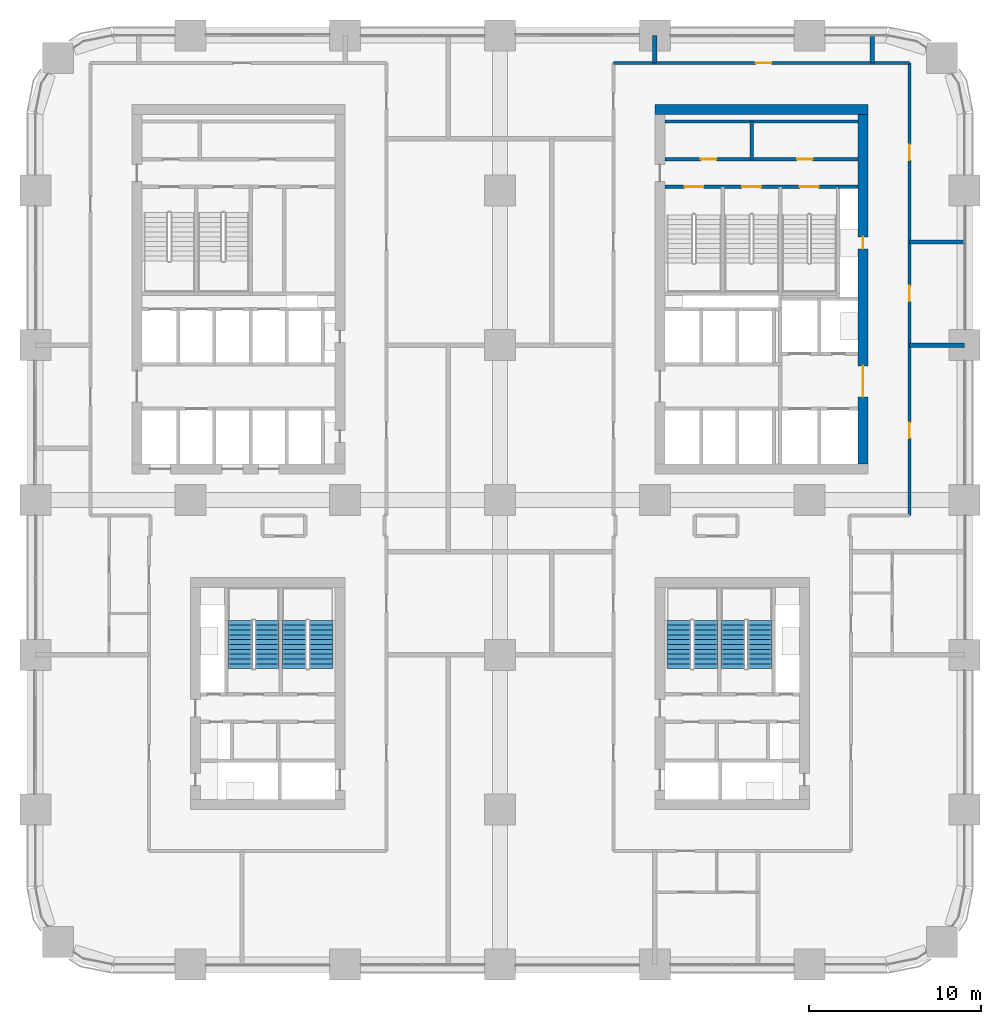
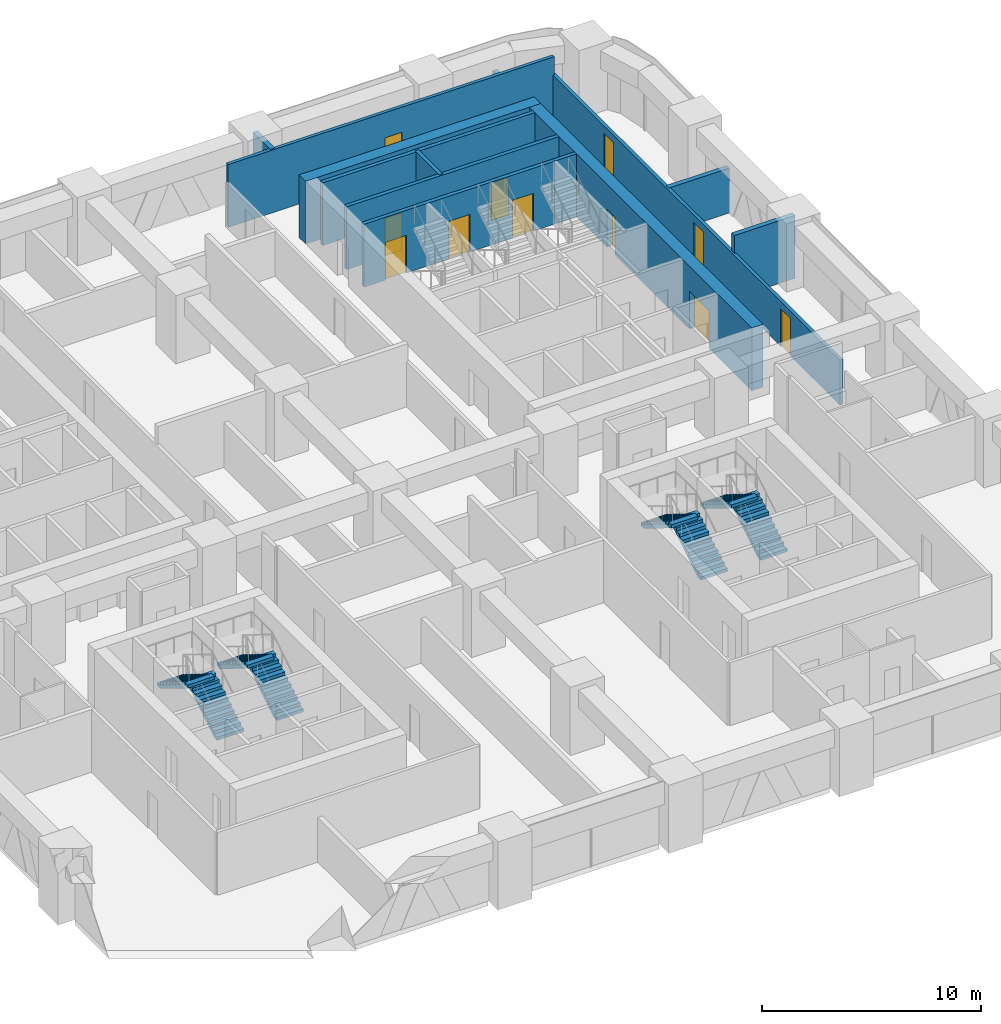
# One storey, part 18 of 21: 13 walls, 11 doors, 8 stair flights, 11 openings, 4 elements without a shape of their own.
"""IFC4 building model written with IfcOpenShell, lengths in metres."""

from ifc_helpers import new_model, si_unit, direction, frame, frame_2d, origin, place, context, subcontext, project, spatial, polyline, rectangle, outline, extrude, material, layer, layer_set, type_object, element, fill, aggregate, save


model = new_model("IFC4")

# Units and contexts
model_context = context("Model", 3, precision=1e-05, world=origin(), true_north=direction((0.0, 1.0)))
body_context = subcontext(model_context, "Body", "Model", "MODEL_VIEW")
ifc_project = project(units=[si_unit("LENGTHUNIT", "METRE"), si_unit("AREAUNIT", "SQUARE_METRE"), si_unit("VOLUMEUNIT", "CUBIC_METRE"), si_unit("PLANEANGLEUNIT", "RADIAN"), si_unit("MASSUNIT", "GRAM", prefix="KILO")], contexts=[model_context])

# Site, building, storey
site_placement = place(None, origin())
site = spatial("IfcSite", under=ifc_project, at=site_placement, CompositionType="ELEMENT")
building_placement = place(site_placement, origin())
building = spatial("IfcBuilding", under=site, at=building_placement, Name="Tessera Arch", CompositionType="ELEMENT")
storey_placement = place(building_placement, frame((0.0, 0.0, 65.199951171875)))
storey = spatial("IfcBuildingStorey", under=building, at=storey_placement, Name="L14", CompositionType="ELEMENT", Elevation=65.199951171875)

# Wall
ifc_material_1 = material(Name="Gypsum board on steel stud", Category="steel")
ifc_layer_1 = layer(ifc_material_1, 0.125)
ifc_layer_set_1 = layer_set([ifc_layer_1], Name="Core partition 125 EI 60")
wall_type_1 = type_object("IfcWallType", Name="Core partition 125 EI 60", PredefinedType="PARTITIONING", material=ifc_layer_set_1)
wall_1_placement = place(storey_placement, frame((41.639892578125, 46.800048828125, 0.0), z_axis=(0.0, 0.0, 1.0), x_axis=(0.0, 1.0, 0.0)))
element("IfcWall", 1, at=wall_1_placement, inside=storey, type_object=wall_type_1, Name="L14 C1 partition wall 7", PredefinedType="PARTITIONING", context=body_context, shape_type="SweptSolid", body=[
    extrude(rectangle(XDim=2.199951171875, YDim=0.199951171875, at=frame_2d((1.10009765625, 0.0))), origin(), (0.0, 0.0, 1.0), 3.5),
])

# Wall, openings, doors
wall_2_placement = place(storey_placement, frame((36.60009765625, 46.800048828125, 0.0), z_axis=(0.0, 0.0, 1.0), x_axis=(1.0, 0.0, 0.0)))
wall_2 = element("IfcWall", 2, at=wall_2_placement, inside=storey, type_object=wall_type_1, Name="L14 C1 partition wall 31", PredefinedType="PARTITIONING", context=body_context, shape_type="SweptSolid", body=[
    extrude(rectangle(XDim=11.199951171875, YDim=0.199951171875, at=frame_2d((5.60009765625, 0.0))), origin(), (0.0, 0.0, 1.0), 3.5),
])
opening_1_placement = place(wall_2_placement, frame((2.070068359375, 0.0, 0.0)))
opening_1 = element("IfcOpeningElement", 3, at=opening_1_placement, cuts=wall_2, Name="Opening L14-C12", PredefinedType="OPENING", context=body_context, shape_type="SweptSolid", body=[
    extrude(rectangle(XDim=0.89990234375, YDim=2.10009765625, at=frame_2d((0.449951171875, 1.050048828125))), frame((0.0, 0.10986328125, 0.0), z_axis=(0.0, -1.0, 0.0), x_axis=(1.0, 0.0, 0.0)), (0.0, 0.0, 1.0), 0.219970703125),
])
opening_2_placement = place(wall_2_placement, frame((7.669921875, 0.0, 0.0)))
opening_2 = element("IfcOpeningElement", 4, at=opening_2_placement, cuts=wall_2, Name="Opening L14-C13", PredefinedType="OPENING", context=body_context, shape_type="SweptSolid", body=[
    extrude(rectangle(XDim=0.89990234375, YDim=2.10009765625, at=frame_2d((0.449951171875, 1.050048828125))), frame((0.0, 0.10986328125, 0.0), z_axis=(0.0, -1.0, 0.0), x_axis=(1.0, 0.0, 0.0)), (0.0, 0.0, 1.0), 0.219970703125),
])
ifc_material_2 = material(Name="Steel door leaf", Category="steel")
door_type_1 = type_object("IfcDoorType", Name="Store door FD30S 900 x 2100", OperationType="SINGLE_SWING_LEFT", PredefinedType="DOOR", material=ifc_material_2)
door_1_placement = place(opening_1_placement, origin())
door_1 = element("IfcDoor", 5, at=door_1_placement, inside=storey, type_object=door_type_1, Name="L14 C1 door 12 C12 type D09", OperationType="SINGLE_SWING_LEFT", OverallHeight=2.10009765625, OverallWidth=0.89990234375, PredefinedType="DOOR", context=body_context, shape_type="SweptSolid", body=[
    extrude(rectangle(XDim=0.89990234375, YDim=2.10009765625, at=frame_2d((0.449951171875, 1.050048828125))), frame((0.0, 0.02490234375, 0.0), z_axis=(0.0, -1.0, 0.0), x_axis=(1.0, 0.0, 0.0)), (0.0, 0.0, 1.0), 0.050048828125),
])
fill(opening_1, door_1)
door_2_placement = place(opening_2_placement, origin())
door_2 = element("IfcDoor", 6, at=door_2_placement, inside=storey, type_object=door_type_1, Name="L14 C1 door 13 C13 type D09", OperationType="SINGLE_SWING_RIGHT", OverallHeight=2.10009765625, OverallWidth=0.89990234375, PredefinedType="DOOR", context=body_context, shape_type="SweptSolid", body=[
    extrude(rectangle(XDim=0.89990234375, YDim=2.10009765625, at=frame_2d((0.449951171875, 1.050048828125))), frame((0.0, 0.02490234375, 0.0), z_axis=(0.0, -1.0, 0.0), x_axis=(1.0, 0.0, 0.0)), (0.0, 0.0, 1.0), 0.050048828125),
])
fill(opening_2, door_2)

# Walls
wall_3_placement = place(storey_placement, frame((36.60009765625, 49.0, 0.0), z_axis=(0.0, 0.0, 1.0), x_axis=(1.0, 0.0, 0.0)))
element("IfcWall", 7, at=wall_3_placement, inside=storey, type_object=wall_type_1, Name="L14 C1 partition wall 32", PredefinedType="PARTITIONING", context=body_context, shape_type="SweptSolid", body=[
    extrude(rectangle(XDim=11.199951171875, YDim=0.199951171875, at=frame_2d((5.60009765625, 0.0))), origin(), (0.0, 0.0, 1.0), 3.5),
])
ifc_material_3 = material(Name="Concrete C70/85", Category="concrete")
ifc_layer_2 = layer(ifc_material_3, 0.60009765625)
ifc_layer_set_2 = layer_set([ifc_layer_2], Name="Core shell wall 600 C70-85")
wall_type_2 = type_object("IfcWallType", Name="Core shell wall 600 C70-85", PredefinedType="SHEAR", material=ifc_layer_set_2)
wall_4_placement = place(storey_placement, frame((36.0, 49.699951171875, 0.0), z_axis=(0.0, 0.0, 1.0), x_axis=(1.0, 0.0, 0.0)))
element("IfcWall", 8, at=wall_4_placement, inside=storey, type_object=wall_type_2, Name="L14 C1 core wall N", PredefinedType="SHEAR", context=body_context, shape_type="SweptSolid", body=[
    extrude(rectangle(XDim=12.39990234375, YDim=0.60009765625, at=frame_2d((6.199951171875, 0.0))), origin(), (0.0, 0.0, 1.0), 3.5),
])

# Wall, openings, doors
wall_5_placement = place(storey_placement, frame((48.10009765625, 29.10009765625, 0.0), z_axis=(0.0, 0.0, 1.0), x_axis=(0.0, 1.0, 0.0)))
wall_5 = element("IfcWall", 9, at=wall_5_placement, inside=storey, type_object=wall_type_2, Name="L14 C1 core wall E", PredefinedType="SHEAR", context=body_context, shape_type="SweptSolid", body=[
    extrude(rectangle(XDim=20.2998046875, YDim=0.60009765625, at=frame_2d((10.14990234375, 0.0))), origin(), (0.0, 0.0, 1.0), 3.5),
])
opening_3_placement = place(wall_5_placement, frame((12.5, 0.0, 0.0)))
opening_3 = element("IfcOpeningElement", 10, at=opening_3_placement, cuts=wall_5, Name="Opening L14-C08", PredefinedType="OPENING", context=body_context, shape_type="SweptSolid", body=[
    extrude(rectangle(XDim=0.699951171875, YDim=2.10009765625, at=frame_2d((0.35009765625, 1.050048828125))), frame((0.0, 0.31005859375, 0.0), z_axis=(0.0, -1.0, 0.0), x_axis=(1.0, 0.0, 0.0)), (0.0, 0.0, 1.0), 0.6201171875),
])
opening_4_placement = place(wall_5_placement, frame((3.89990234375, 0.0, 0.0)))
opening_4 = element("IfcOpeningElement", 11, at=opening_4_placement, cuts=wall_5, Name="Opening L14-C09", PredefinedType="OPENING", context=body_context, shape_type="SweptSolid", body=[
    extrude(rectangle(XDim=1.800048828125, YDim=2.10009765625, at=frame_2d((0.89990234375, 1.050048828125))), frame((0.0, 0.31005859375, 0.0), z_axis=(0.0, -1.0, 0.0), x_axis=(1.0, 0.0, 0.0)), (0.0, 0.0, 1.0), 0.6201171875),
])
ifc_material_4 = material(Name="Glazed steel door leaf", Category="steel")
door_type_2 = type_object("IfcDoorType", Name="Lobby double door FD60 1800 x 2100", OperationType="DOUBLE_DOOR_SINGLE_SWING", PredefinedType="DOOR", material=ifc_material_4)
door_3_placement = place(opening_4_placement, origin())
door_3 = element("IfcDoor", 12, at=door_3_placement, inside=storey, type_object=door_type_2, Name="L14 C1 door 9 C09 type D19", OperationType="DOUBLE_DOOR_SINGLE_SWING", OverallHeight=2.10009765625, OverallWidth=1.800048828125, PredefinedType="DOOR", context=body_context, shape_type="SweptSolid", body=[
    extrude(rectangle(XDim=1.800048828125, YDim=2.10009765625, at=frame_2d((0.89990234375, 1.050048828125))), frame((0.0, 0.02490234375, 0.0), z_axis=(0.0, -1.0, 0.0), x_axis=(1.0, 0.0, 0.0)), (0.0, 0.0, 1.0), 0.050048828125),
])
fill(opening_4, door_3)
ifc_material_5 = material(Name="Steel door leaf", Category="steel")
door_type_3 = type_object("IfcDoorType", Name="Service shaft door FD60 700 x 2100", OperationType="SINGLE_SWING_LEFT", PredefinedType="DOOR", material=ifc_material_5)
door_4_placement = place(opening_3_placement, origin())
door_4 = element("IfcDoor", 13, at=door_4_placement, inside=storey, type_object=door_type_3, Name="L14 C1 door 8 C08 type D07", OperationType="SINGLE_SWING_RIGHT", OverallHeight=2.10009765625, OverallWidth=0.699951171875, PredefinedType="DOOR", context=body_context, shape_type="SweptSolid", body=[
    extrude(rectangle(XDim=0.699951171875, YDim=2.10009765625, at=frame_2d((0.35009765625, 1.050048828125))), frame((0.0, 0.02490234375, 0.0), z_axis=(0.0, -1.0, 0.0), x_axis=(1.0, 0.0, 0.0)), (0.0, 0.0, 1.0), 0.050048828125),
])
fill(opening_3, door_4)

# Wall, opening, door
ifc_material_6 = material(Name="Gypsum board on deep steel stud with mineral wool", Category="steel")
ifc_layer_3 = layer(ifc_material_6, 0.175048828125)
ifc_layer_set_3 = layer_set([ifc_layer_3], Name="Corridor wall 175 EI 60")
wall_type_3 = type_object("IfcWallType", Name="Corridor wall 175 EI 60", PredefinedType="PARTITIONING", material=ifc_layer_set_3)
wall_6_placement = place(storey_placement, frame((33.60009765625, 52.39990234375, 0.0), z_axis=(0.0, 0.0, 1.0), x_axis=(1.0, 0.0, 0.0)))
wall_6 = element("IfcWall", 14, at=wall_6_placement, inside=storey, type_object=wall_type_3, Name="L14 partition 16", PredefinedType="PARTITIONING", context=body_context, shape_type="SweptSolid", body=[
    extrude(rectangle(XDim=17.199951171875, YDim=0.175048828125, at=frame_2d((8.60009765625, 0.0))), origin(), (0.0, 0.0, 1.0), 3.5),
])
opening_5_placement = place(wall_6_placement, frame((8.268798828125, 0.0, 0.0)))
opening_5 = element("IfcOpeningElement", 15, at=opening_5_placement, cuts=wall_6, Name="Opening L14-D030", PredefinedType="OPENING", context=body_context, shape_type="SweptSolid", body=[
    extrude(rectangle(XDim=0.89990234375, YDim=2.10009765625, at=frame_2d((0.449951171875, 1.050048828125))), frame((0.0, 0.097412109375, 0.0), z_axis=(0.0, -1.0, 0.0), x_axis=(1.0, 0.0, 0.0)), (0.0, 0.0, 1.0), 0.195068359375),
])
ifc_material_7 = material(Name="Timber door leaf", Category="wood")
door_type_4 = type_object("IfcDoorType", Name="Room door 900 x 2100", OperationType="SINGLE_SWING_LEFT", PredefinedType="DOOR", material=ifc_material_7)
door_5_placement = place(opening_5_placement, origin())
door_5 = element("IfcDoor", 16, at=door_5_placement, inside=storey, type_object=door_type_4, Name="L14 door D030 type D01", OperationType="SINGLE_SWING_RIGHT", OverallHeight=2.10009765625, OverallWidth=0.89990234375, PredefinedType="DOOR", context=body_context, shape_type="SweptSolid", body=[
    extrude(rectangle(XDim=0.89990234375, YDim=2.10009765625, at=frame_2d((0.449951171875, 1.050048828125))), frame((0.0, 0.02490234375, 0.0), z_axis=(0.0, -1.0, 0.0), x_axis=(1.0, 0.0, 0.0)), (0.0, 0.0, 1.0), 0.050048828125),
])
fill(opening_5, door_5)

# Wall, openings, doors
wall_7_placement = place(storey_placement, frame((50.800048828125, 26.10009765625, 0.0), z_axis=(0.0, 0.0, 1.0), x_axis=(0.0, 1.0, 0.0)))
wall_7 = element("IfcWall", 17, at=wall_7_placement, inside=storey, type_object=wall_type_3, Name="L14 partition 32", PredefinedType="PARTITIONING", context=body_context, shape_type="SweptSolid", body=[
    extrude(rectangle(XDim=26.2998046875, YDim=0.175048828125, at=frame_2d((13.14990234375, 0.0))), origin(), (0.0, 0.0, 1.0), 2.5),
])
opening_6_placement = place(wall_7_placement, frame((4.5, 0.0, 0.0)))
opening_6 = element("IfcOpeningElement", 18, at=opening_6_placement, cuts=wall_7, Name="Opening L14-D018", PredefinedType="OPENING", context=body_context, shape_type="SweptSolid", body=[
    extrude(rectangle(XDim=0.89990234375, YDim=2.10009765625, at=frame_2d((0.449951171875, 1.050048828125))), frame((0.0, 0.097412109375, 0.0), z_axis=(0.0, -1.0, 0.0), x_axis=(1.0, 0.0, 0.0)), (0.0, 0.0, 1.0), 0.195068359375),
])
opening_7_placement = place(wall_7_placement, frame((12.449951171875, 0.0, 0.0)))
opening_7 = element("IfcOpeningElement", 19, at=opening_7_placement, cuts=wall_7, Name="Opening L14-D022", PredefinedType="OPENING", context=body_context, shape_type="SweptSolid", body=[
    extrude(rectangle(XDim=0.89990234375, YDim=2.10009765625, at=frame_2d((0.449951171875, 1.050048828125))), frame((0.0, 0.097412109375, 0.0), z_axis=(0.0, -1.0, 0.0), x_axis=(1.0, 0.0, 0.0)), (0.0, 0.0, 1.0), 0.195068359375),
])
opening_8_placement = place(wall_7_placement, frame((20.64990234375, 0.0, 0.0)))
opening_8 = element("IfcOpeningElement", 20, at=opening_8_placement, cuts=wall_7, Name="Opening L14-D026", PredefinedType="OPENING", context=body_context, shape_type="SweptSolid", body=[
    extrude(rectangle(XDim=0.89990234375, YDim=2.10009765625, at=frame_2d((0.449951171875, 1.050048828125))), frame((0.0, 0.097412109375, 0.0), z_axis=(0.0, -1.0, 0.0), x_axis=(1.0, 0.0, 0.0)), (0.0, 0.0, 1.0), 0.195068359375),
])
door_6_placement = place(opening_6_placement, origin())
door_6 = element("IfcDoor", 21, at=door_6_placement, inside=storey, type_object=door_type_4, Name="L14 door D018 type D01", OperationType="SINGLE_SWING_LEFT", OverallHeight=2.10009765625, OverallWidth=0.89990234375, PredefinedType="DOOR", context=body_context, shape_type="SweptSolid", body=[
    extrude(rectangle(XDim=0.89990234375, YDim=2.10009765625, at=frame_2d((0.449951171875, 1.050048828125))), frame((0.0, 0.02490234375, 0.0), z_axis=(0.0, -1.0, 0.0), x_axis=(1.0, 0.0, 0.0)), (0.0, 0.0, 1.0), 0.050048828125),
])
fill(opening_6, door_6)
door_7_placement = place(opening_7_placement, origin())
door_7 = element("IfcDoor", 22, at=door_7_placement, inside=storey, type_object=door_type_4, Name="L14 door D022 type D01", OperationType="SINGLE_SWING_LEFT", OverallHeight=2.10009765625, OverallWidth=0.89990234375, PredefinedType="DOOR", context=body_context, shape_type="SweptSolid", body=[
    extrude(rectangle(XDim=0.89990234375, YDim=2.10009765625, at=frame_2d((0.449951171875, 1.050048828125))), frame((0.0, 0.02490234375, 0.0), z_axis=(0.0, -1.0, 0.0), x_axis=(1.0, 0.0, 0.0)), (0.0, 0.0, 1.0), 0.050048828125),
])
fill(opening_7, door_7)
door_8_placement = place(opening_8_placement, origin())
door_8 = element("IfcDoor", 23, at=door_8_placement, inside=storey, type_object=door_type_4, Name="L14 door D026 type D01", OperationType="SINGLE_SWING_LEFT", OverallHeight=2.10009765625, OverallWidth=0.89990234375, PredefinedType="DOOR", context=body_context, shape_type="SweptSolid", body=[
    extrude(rectangle(XDim=0.89990234375, YDim=2.10009765625, at=frame_2d((0.449951171875, 1.050048828125))), frame((0.0, 0.02490234375, 0.0), z_axis=(0.0, -1.0, 0.0), x_axis=(1.0, 0.0, 0.0)), (0.0, 0.0, 1.0), 0.050048828125),
])
fill(opening_8, door_8)

# Walls
ifc_material_8 = material(Name="Double gypsum board on twin steel stud with acoustic mineral wool", Category="steel")
ifc_layer_4 = layer(ifc_material_8, 0.25)
ifc_layer_set_4 = layer_set([ifc_layer_4], Name="Party wall 250 EI 60")
wall_type_4 = type_object("IfcWallType", Name="Party wall 250 EI 60", PredefinedType="PARTITIONING", material=ifc_layer_set_4)
wall_8_placement = place(storey_placement, frame((50.800048828125, 36.0, 0.0), z_axis=(0.0, 0.0, 1.0), x_axis=(1.0, 0.0, 0.0)))
element("IfcWall", 24, at=wall_8_placement, inside=storey, type_object=wall_type_4, Name="L14 partition 44", PredefinedType="PARTITIONING", context=body_context, shape_type="SweptSolid", body=[
    extrude(rectangle(XDim=3.199951171875, YDim=0.25, at=frame_2d((1.60009765625, 0.0))), origin(), (0.0, 0.0, 1.0), 3.5),
])
wall_9_placement = place(storey_placement, frame((50.800048828125, 42.0, 0.0), z_axis=(0.0, 0.0, 1.0), x_axis=(1.0, 0.0, 0.0)))
element("IfcWall", 25, at=wall_9_placement, inside=storey, type_object=wall_type_4, Name="L14 partition 45", PredefinedType="PARTITIONING", context=body_context, shape_type="SweptSolid", body=[
    extrude(rectangle(XDim=3.199951171875, YDim=0.25, at=frame_2d((1.60009765625, 0.0))), origin(), (0.0, 0.0, 1.0), 2.5),
])
wall_10_placement = place(storey_placement, frame((36.0, 52.39990234375, 0.0), z_axis=(0.0, 0.0, 1.0), x_axis=(0.0, 1.0, 0.0)))
element("IfcWall", 26, at=wall_10_placement, inside=storey, type_object=wall_type_4, Name="L14 partition 56", PredefinedType="PARTITIONING", context=body_context, shape_type="SweptSolid", body=[
    extrude(rectangle(XDim=1.60009765625, YDim=0.25, at=frame_2d((0.800048828125, 0.0))), origin(), (0.0, 0.0, 1.0), 3.5),
])
wall_11_placement = place(storey_placement, frame((48.637939453125, 52.39990234375, 0.0), z_axis=(0.0, 0.0, 1.0), x_axis=(0.0, 1.0, 0.0)))
element("IfcWall", 27, at=wall_11_placement, inside=storey, type_object=wall_type_4, Name="L14 partition 58", PredefinedType="PARTITIONING", context=body_context, shape_type="SweptSolid", body=[
    extrude(rectangle(XDim=1.60009765625, YDim=0.25, at=frame_2d((0.800048828125, 0.0))), origin(), (0.0, 0.0, 1.0), 2.5),
])
ifc_material_9 = material(Name="Concrete C40/50", Category="concrete")
ifc_layer_5 = layer(ifc_material_9, 0.199951171875)
ifc_layer_set_5 = layer_set([ifc_layer_5], Name="Shaft wall 200 EI 120")
wall_type_5 = type_object("IfcWallType", Name="Shaft wall 200 EI 120", PredefinedType="SOLIDWALL", material=ifc_layer_set_5)
wall_12_placement = place(storey_placement, frame((46.64990234375, 45.199951171875, 0.0), z_axis=(0.0, 0.0, 1.0), x_axis=(1.0, 0.0, 0.0)))
element("IfcWall", 28, at=wall_12_placement, inside=storey, type_object=wall_type_5, Name="L14 C1 shaft wall 29", PredefinedType="SOLIDWALL", context=body_context, shape_type="SweptSolid", body=[
    extrude(rectangle(XDim=1.150146484375, YDim=0.199951171875, at=frame_2d((0.5751953125, 0.0))), origin(), (0.0, 0.0, 1.0), 3.5),
])

# Wall, openings, doors
ifc_material_10 = material(Name="Concrete C40/50", Category="concrete")
ifc_layer_6 = layer(ifc_material_10, 0.199951171875)
ifc_layer_set_6 = layer_set([ifc_layer_6], Name="Stair well wall 200 REI 180")
wall_type_6 = type_object("IfcWallType", Name="Stair well wall 200 REI 180", PredefinedType="SOLIDWALL", material=ifc_layer_set_6)
wall_13_placement = place(storey_placement, frame((36.60009765625, 45.199951171875, 0.0), z_axis=(0.0, 0.0, 1.0), x_axis=(1.0, 0.0, 0.0)))
wall_13 = element("IfcWall", 29, at=wall_13_placement, inside=storey, type_object=wall_type_6, Name="L14 C1 shaft wall 30", PredefinedType="SOLIDWALL", context=body_context, shape_type="SweptSolid", body=[
    extrude(rectangle(XDim=10.0498046875, YDim=0.199951171875, at=frame_2d((5.02490234375, 0.0))), origin(), (0.0, 0.0, 1.0), 3.5),
])
opening_9_placement = place(wall_13_placement, frame((1.125, 0.0, 0.0)))
opening_9 = element("IfcOpeningElement", 30, at=opening_9_placement, cuts=wall_13, Name="Opening L14-C05", PredefinedType="OPENING", context=body_context, shape_type="SweptSolid", body=[
    extrude(rectangle(XDim=1.10009765625, YDim=2.10009765625, at=frame_2d((0.550048828125, 1.050048828125))), frame((0.0, 0.10986328125, 0.0), z_axis=(0.0, -1.0, 0.0), x_axis=(1.0, 0.0, 0.0)), (0.0, 0.0, 1.0), 0.219970703125),
])
opening_10_placement = place(wall_13_placement, frame((4.47509765625, 0.0, 0.0)))
opening_10 = element("IfcOpeningElement", 31, at=opening_10_placement, cuts=wall_13, Name="Opening L14-C06", PredefinedType="OPENING", context=body_context, shape_type="SweptSolid", body=[
    extrude(rectangle(XDim=1.10009765625, YDim=2.10009765625, at=frame_2d((0.550048828125, 1.050048828125))), frame((0.0, 0.10986328125, 0.0), z_axis=(0.0, -1.0, 0.0), x_axis=(1.0, 0.0, 0.0)), (0.0, 0.0, 1.0), 0.219970703125),
])
opening_11_placement = place(wall_13_placement, frame((7.824951171875, 0.0, 0.0)))
opening_11 = element("IfcOpeningElement", 32, at=opening_11_placement, cuts=wall_13, Name="Opening L14-C07", PredefinedType="OPENING", context=body_context, shape_type="SweptSolid", body=[
    extrude(rectangle(XDim=1.10009765625, YDim=2.10009765625, at=frame_2d((0.550048828125, 1.050048828125))), frame((0.0, 0.10986328125, 0.0), z_axis=(0.0, -1.0, 0.0), x_axis=(1.0, 0.0, 0.0)), (0.0, 0.0, 1.0), 0.219970703125),
])
ifc_material_11 = material(Name="Steel door leaf", Category="steel")
door_type_5 = type_object("IfcDoorType", Name="Stair door FD60 1100 x 2100", OperationType="SINGLE_SWING_LEFT", PredefinedType="DOOR", material=ifc_material_11)
door_9_placement = place(opening_9_placement, origin())
door_9 = element("IfcDoor", 33, at=door_9_placement, inside=storey, type_object=door_type_5, Name="L14 C1 door 5 C05 type D05", OperationType="SINGLE_SWING_LEFT", OverallHeight=2.10009765625, OverallWidth=1.10009765625, PredefinedType="DOOR", context=body_context, shape_type="SweptSolid", body=[
    extrude(rectangle(XDim=1.10009765625, YDim=2.10009765625, at=frame_2d((0.550048828125, 1.050048828125))), frame((0.0, 0.02490234375, 0.0), z_axis=(0.0, -1.0, 0.0), x_axis=(1.0, 0.0, 0.0)), (0.0, 0.0, 1.0), 0.050048828125),
])
fill(opening_9, door_9)
door_10_placement = place(opening_10_placement, origin())
door_10 = element("IfcDoor", 34, at=door_10_placement, inside=storey, type_object=door_type_5, Name="L14 C1 door 6 C06 type D05", OperationType="SINGLE_SWING_RIGHT", OverallHeight=2.10009765625, OverallWidth=1.10009765625, PredefinedType="DOOR", context=body_context, shape_type="SweptSolid", body=[
    extrude(rectangle(XDim=1.10009765625, YDim=2.10009765625, at=frame_2d((0.550048828125, 1.050048828125))), frame((0.0, 0.02490234375, 0.0), z_axis=(0.0, -1.0, 0.0), x_axis=(1.0, 0.0, 0.0)), (0.0, 0.0, 1.0), 0.050048828125),
])
fill(opening_10, door_10)
door_11_placement = place(opening_11_placement, origin())
door_11 = element("IfcDoor", 35, at=door_11_placement, inside=storey, type_object=door_type_5, Name="L14 C1 door 7 C07 type D05", OperationType="SINGLE_SWING_RIGHT", OverallHeight=2.10009765625, OverallWidth=1.10009765625, PredefinedType="DOOR", context=body_context, shape_type="SweptSolid", body=[
    extrude(rectangle(XDim=1.10009765625, YDim=2.10009765625, at=frame_2d((0.550048828125, 1.050048828125))), frame((0.0, 0.02490234375, 0.0), z_axis=(0.0, -1.0, 0.0), x_axis=(1.0, 0.0, 0.0)), (0.0, 0.0, 1.0), 0.050048828125),
])
fill(opening_11, door_11)

# Stair, stair flights
ifc_material_12 = material(Name="Concrete C40/50", Category="concrete")
stair_type = type_object("IfcStairType", Name="Dogleg stair 1400", PredefinedType="HALF_TURN_STAIR", material=ifc_material_12)
stair_1_placement = place(storey_placement, origin())
stair_1 = element("IfcStair", 36, at=stair_1_placement, inside=storey, type_object=stair_type, Name="L14 S3a", PredefinedType="HALF_TURN_STAIR")
ifc_material_13 = material(Name="Concrete C40/50", Category="concrete")
stair_flight_type = type_object("IfcStairFlightType", Name="Stair flight 1400", PredefinedType="STRAIGHT", material=ifc_material_13)
stair_flight_1_placement = place(storey_placement, frame((38.949951171875, 17.199951171875, 0.0), z_axis=(0.0, 0.0, 1.0), x_axis=(0.0, 1.0, 0.0)))
stair_flight_1 = element("IfcStairFlight", 37, at=stair_flight_1_placement, type_object=stair_flight_type, Name="S3a flight 1", NumberOfRisers=11, NumberOfTreads=10, PredefinedType="STRAIGHT", RiserHeight=0.172727273, TreadLength=0.28, context=body_context, shape_type="SweptSolid", body=[
    extrude(outline(polyline([(0.0, 0.0), (0.0, 0.172607421875), (0.280029296875, 0.172607421875), (0.280029296875, 0.345458984375), (0.56005859375, 0.345458984375), (0.56005859375, 0.51806640625), (0.840087890625, 0.51806640625), (0.840087890625, 0.69091796875), (1.1201171875, 0.69091796875), (1.1201171875, 0.863525390625), (1.39990234375, 0.863525390625), (1.39990234375, 1.036376953125), (1.679931640625, 1.036376953125), (1.679931640625, 1.208984375), (1.9599609375, 1.208984375), (1.9599609375, 1.3818359375), (2.239990234375, 1.3818359375), (2.239990234375, 1.554443359375), (2.52001953125, 1.554443359375), (2.52001953125, 1.727294921875), (2.800048828125, 1.727294921875), (2.800048828125, 1.89990234375), (2.800048828125, 1.551025390625), (0.285400390625, 0.0), (0.0, 0.0)])), frame((0.0, 0.699951171875, 0.0), z_axis=(0.0, -1.0, 0.0), x_axis=(1.0, 0.0, 0.0)), (0.0, 0.0, 1.0), 1.39990234375),
])
stair_flight_2_placement = place(storey_placement, frame((37.39990234375, 20.0, 1.900146484375), z_axis=(0.0, 0.0, 1.0), x_axis=(0.0, -1.0, 0.0)))
stair_flight_2 = element("IfcStairFlight", 38, at=stair_flight_2_placement, type_object=stair_flight_type, Name="S3a flight 2", NumberOfRisers=11, NumberOfTreads=10, PredefinedType="STRAIGHT", RiserHeight=0.172727273, TreadLength=0.28, context=body_context, shape_type="SweptSolid", body=[
    extrude(outline(polyline([(0.0, 0.0), (0.0, 0.172607421875), (0.280029296875, 0.172607421875), (0.280029296875, 0.345458984375), (0.56005859375, 0.345458984375), (0.56005859375, 0.51806640625), (0.840087890625, 0.51806640625), (0.840087890625, 0.69091796875), (1.1201171875, 0.69091796875), (1.1201171875, 0.863525390625), (1.39990234375, 0.863525390625), (1.39990234375, 1.036376953125), (1.679931640625, 1.036376953125), (1.679931640625, 1.208984375), (1.9599609375, 1.208984375), (1.9599609375, 1.3818359375), (2.239990234375, 1.3818359375), (2.239990234375, 1.554443359375), (2.52001953125, 1.554443359375), (2.52001953125, 1.727294921875), (2.800048828125, 1.727294921875), (2.800048828125, 1.89990234375), (2.800048828125, 1.551025390625), (0.285400390625, 0.0), (0.0, 0.0)])), frame((0.0, 0.699951171875, 0.0), z_axis=(0.0, -1.0, 0.0), x_axis=(1.0, 0.0, 0.0)), (0.0, 0.0, 1.0), 1.39990234375),
])
aggregate(stair_1, [stair_flight_1, stair_flight_2])

stair_2_placement = place(storey_placement, origin())
stair_2 = element("IfcStair", 39, at=stair_2_placement, inside=storey, type_object=stair_type, Name="L14 S3b", PredefinedType="HALF_TURN_STAIR")
stair_flight_3_placement = place(storey_placement, frame((42.10009765625, 17.199951171875, 0.0), z_axis=(0.0, 0.0, 1.0), x_axis=(0.0, 1.0, 0.0)))
stair_flight_3 = element("IfcStairFlight", 40, at=stair_flight_3_placement, type_object=stair_flight_type, Name="S3b flight 1", NumberOfRisers=11, NumberOfTreads=10, PredefinedType="STRAIGHT", RiserHeight=0.172727273, TreadLength=0.28, context=body_context, shape_type="SweptSolid", body=[
    extrude(outline(polyline([(0.0, 0.0), (0.0, 0.172607421875), (0.280029296875, 0.172607421875), (0.280029296875, 0.345458984375), (0.56005859375, 0.345458984375), (0.56005859375, 0.51806640625), (0.840087890625, 0.51806640625), (0.840087890625, 0.69091796875), (1.1201171875, 0.69091796875), (1.1201171875, 0.863525390625), (1.39990234375, 0.863525390625), (1.39990234375, 1.036376953125), (1.679931640625, 1.036376953125), (1.679931640625, 1.208984375), (1.9599609375, 1.208984375), (1.9599609375, 1.3818359375), (2.239990234375, 1.3818359375), (2.239990234375, 1.554443359375), (2.52001953125, 1.554443359375), (2.52001953125, 1.727294921875), (2.800048828125, 1.727294921875), (2.800048828125, 1.89990234375), (2.800048828125, 1.551025390625), (0.285400390625, 0.0), (0.0, 0.0)])), frame((0.0, 0.699951171875, 0.0), z_axis=(0.0, -1.0, 0.0), x_axis=(1.0, 0.0, 0.0)), (0.0, 0.0, 1.0), 1.39990234375),
])
stair_flight_4_placement = place(storey_placement, frame((40.550048828125, 20.0, 1.900146484375), z_axis=(0.0, 0.0, 1.0), x_axis=(0.0, -1.0, 0.0)))
stair_flight_4 = element("IfcStairFlight", 41, at=stair_flight_4_placement, type_object=stair_flight_type, Name="S3b flight 2", NumberOfRisers=11, NumberOfTreads=10, PredefinedType="STRAIGHT", RiserHeight=0.172727273, TreadLength=0.28, context=body_context, shape_type="SweptSolid", body=[
    extrude(outline(polyline([(0.0, 0.0), (0.0, 0.172607421875), (0.280029296875, 0.172607421875), (0.280029296875, 0.345458984375), (0.56005859375, 0.345458984375), (0.56005859375, 0.51806640625), (0.840087890625, 0.51806640625), (0.840087890625, 0.69091796875), (1.1201171875, 0.69091796875), (1.1201171875, 0.863525390625), (1.39990234375, 0.863525390625), (1.39990234375, 1.036376953125), (1.679931640625, 1.036376953125), (1.679931640625, 1.208984375), (1.9599609375, 1.208984375), (1.9599609375, 1.3818359375), (2.239990234375, 1.3818359375), (2.239990234375, 1.554443359375), (2.52001953125, 1.554443359375), (2.52001953125, 1.727294921875), (2.800048828125, 1.727294921875), (2.800048828125, 1.89990234375), (2.800048828125, 1.551025390625), (0.285400390625, 0.0), (0.0, 0.0)])), frame((0.0, 0.699951171875, 0.0), z_axis=(0.0, -1.0, 0.0), x_axis=(1.0, 0.0, 0.0)), (0.0, 0.0, 1.0), 1.39990234375),
])
aggregate(stair_2, [stair_flight_3, stair_flight_4])

stair_3_placement = place(storey_placement, origin())
stair_3 = element("IfcStair", 42, at=stair_3_placement, inside=storey, type_object=stair_type, Name="L14 S4a", PredefinedType="HALF_TURN_STAIR")
stair_flight_5_placement = place(storey_placement, frame((16.60009765625, 17.199951171875, 0.0), z_axis=(0.0, 0.0, 1.0), x_axis=(0.0, 1.0, 0.0)))
stair_flight_5 = element("IfcStairFlight", 43, at=stair_flight_5_placement, type_object=stair_flight_type, Name="S4a flight 1", NumberOfRisers=11, NumberOfTreads=10, PredefinedType="STRAIGHT", RiserHeight=0.172727273, TreadLength=0.28, context=body_context, shape_type="SweptSolid", body=[
    extrude(outline(polyline([(0.0, 0.0), (0.0, 0.172607421875), (0.280029296875, 0.172607421875), (0.280029296875, 0.345458984375), (0.56005859375, 0.345458984375), (0.56005859375, 0.51806640625), (0.840087890625, 0.51806640625), (0.840087890625, 0.69091796875), (1.1201171875, 0.69091796875), (1.1201171875, 0.863525390625), (1.39990234375, 0.863525390625), (1.39990234375, 1.036376953125), (1.679931640625, 1.036376953125), (1.679931640625, 1.208984375), (1.9599609375, 1.208984375), (1.9599609375, 1.3818359375), (2.239990234375, 1.3818359375), (2.239990234375, 1.554443359375), (2.52001953125, 1.554443359375), (2.52001953125, 1.727294921875), (2.800048828125, 1.727294921875), (2.800048828125, 1.89990234375), (2.800048828125, 1.551025390625), (0.285400390625, 0.0), (0.0, 0.0)])), frame((0.0, 0.699951171875, 0.0), z_axis=(0.0, -1.0, 0.0), x_axis=(1.0, 0.0, 0.0)), (0.0, 0.0, 1.0), 1.39990234375),
])
stair_flight_6_placement = place(storey_placement, frame((15.050048828125, 20.0, 1.900146484375), z_axis=(0.0, 0.0, 1.0), x_axis=(0.0, -1.0, 0.0)))
stair_flight_6 = element("IfcStairFlight", 44, at=stair_flight_6_placement, type_object=stair_flight_type, Name="S4a flight 2", NumberOfRisers=11, NumberOfTreads=10, PredefinedType="STRAIGHT", RiserHeight=0.172727273, TreadLength=0.28, context=body_context, shape_type="SweptSolid", body=[
    extrude(outline(polyline([(0.0, 0.0), (0.0, 0.172607421875), (0.280029296875, 0.172607421875), (0.280029296875, 0.345458984375), (0.56005859375, 0.345458984375), (0.56005859375, 0.51806640625), (0.840087890625, 0.51806640625), (0.840087890625, 0.69091796875), (1.1201171875, 0.69091796875), (1.1201171875, 0.863525390625), (1.39990234375, 0.863525390625), (1.39990234375, 1.036376953125), (1.679931640625, 1.036376953125), (1.679931640625, 1.208984375), (1.9599609375, 1.208984375), (1.9599609375, 1.3818359375), (2.239990234375, 1.3818359375), (2.239990234375, 1.554443359375), (2.52001953125, 1.554443359375), (2.52001953125, 1.727294921875), (2.800048828125, 1.727294921875), (2.800048828125, 1.89990234375), (2.800048828125, 1.551025390625), (0.285400390625, 0.0), (0.0, 0.0)])), frame((0.0, 0.699951171875, 0.0), z_axis=(0.0, -1.0, 0.0), x_axis=(1.0, 0.0, 0.0)), (0.0, 0.0, 1.0), 1.39990234375),
])
aggregate(stair_3, [stair_flight_5, stair_flight_6])

stair_4_placement = place(storey_placement, origin())
stair_4 = element("IfcStair", 45, at=stair_4_placement, inside=storey, type_object=stair_type, Name="L14 S4b", PredefinedType="HALF_TURN_STAIR")
stair_flight_7_placement = place(storey_placement, frame((13.449951171875, 17.199951171875, 0.0), z_axis=(0.0, 0.0, 1.0), x_axis=(0.0, 1.0, 0.0)))
stair_flight_7 = element("IfcStairFlight", 46, at=stair_flight_7_placement, type_object=stair_flight_type, Name="S4b flight 1", NumberOfRisers=11, NumberOfTreads=10, PredefinedType="STRAIGHT", RiserHeight=0.172727273, TreadLength=0.28, context=body_context, shape_type="SweptSolid", body=[
    extrude(outline(polyline([(0.0, 0.0), (0.0, 0.172607421875), (0.280029296875, 0.172607421875), (0.280029296875, 0.345458984375), (0.56005859375, 0.345458984375), (0.56005859375, 0.51806640625), (0.840087890625, 0.51806640625), (0.840087890625, 0.69091796875), (1.1201171875, 0.69091796875), (1.1201171875, 0.863525390625), (1.39990234375, 0.863525390625), (1.39990234375, 1.036376953125), (1.679931640625, 1.036376953125), (1.679931640625, 1.208984375), (1.9599609375, 1.208984375), (1.9599609375, 1.3818359375), (2.239990234375, 1.3818359375), (2.239990234375, 1.554443359375), (2.52001953125, 1.554443359375), (2.52001953125, 1.727294921875), (2.800048828125, 1.727294921875), (2.800048828125, 1.89990234375), (2.800048828125, 1.551025390625), (0.285400390625, 0.0), (0.0, 0.0)])), frame((0.0, 0.699951171875, 0.0), z_axis=(0.0, -1.0, 0.0), x_axis=(1.0, 0.0, 0.0)), (0.0, 0.0, 1.0), 1.39990234375),
])
stair_flight_8_placement = place(storey_placement, frame((11.89990234375, 20.0, 1.900146484375), z_axis=(0.0, 0.0, 1.0), x_axis=(0.0, -1.0, 0.0)))
stair_flight_8 = element("IfcStairFlight", 47, at=stair_flight_8_placement, type_object=stair_flight_type, Name="S4b flight 2", NumberOfRisers=11, NumberOfTreads=10, PredefinedType="STRAIGHT", RiserHeight=0.172727273, TreadLength=0.28, context=body_context, shape_type="SweptSolid", body=[
    extrude(outline(polyline([(0.0, 0.0), (0.0, 0.172607421875), (0.280029296875, 0.172607421875), (0.280029296875, 0.345458984375), (0.56005859375, 0.345458984375), (0.56005859375, 0.51806640625), (0.840087890625, 0.51806640625), (0.840087890625, 0.69091796875), (1.1201171875, 0.69091796875), (1.1201171875, 0.863525390625), (1.39990234375, 0.863525390625), (1.39990234375, 1.036376953125), (1.679931640625, 1.036376953125), (1.679931640625, 1.208984375), (1.9599609375, 1.208984375), (1.9599609375, 1.3818359375), (2.239990234375, 1.3818359375), (2.239990234375, 1.554443359375), (2.52001953125, 1.554443359375), (2.52001953125, 1.727294921875), (2.800048828125, 1.727294921875), (2.800048828125, 1.89990234375), (2.800048828125, 1.551025390625), (0.285400390625, 0.0), (0.0, 0.0)])), frame((0.0, 0.699951171875, 0.0), z_axis=(0.0, -1.0, 0.0), x_axis=(1.0, 0.0, 0.0)), (0.0, 0.0, 1.0), 1.39990234375),
])
aggregate(stair_4, [stair_flight_7, stair_flight_8])

save(model, "model.ifc")
